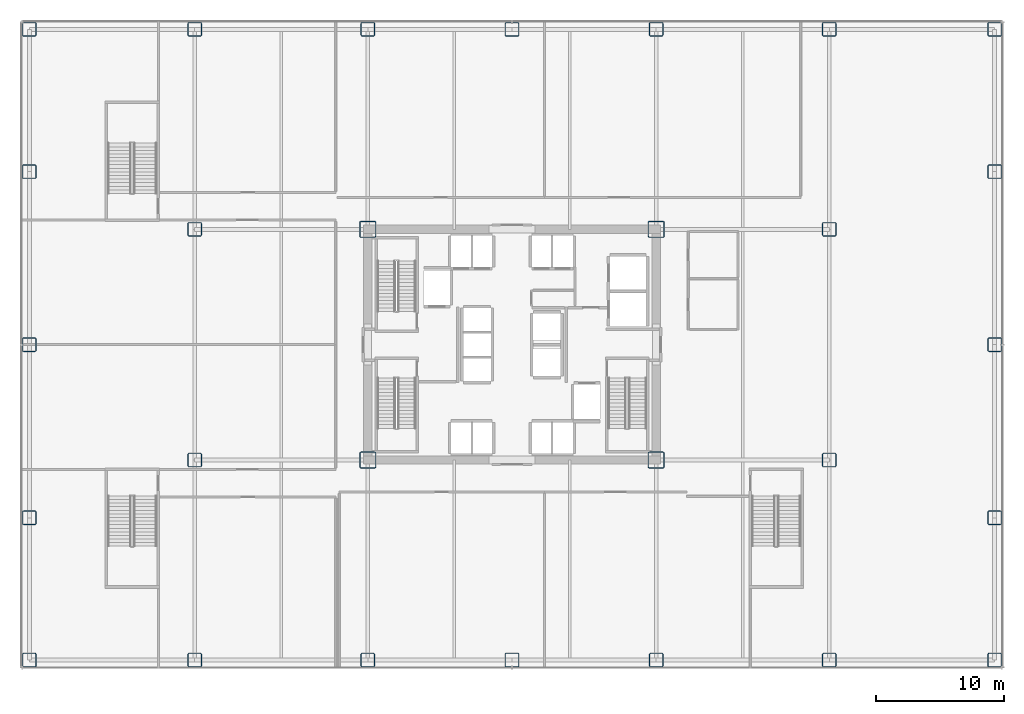
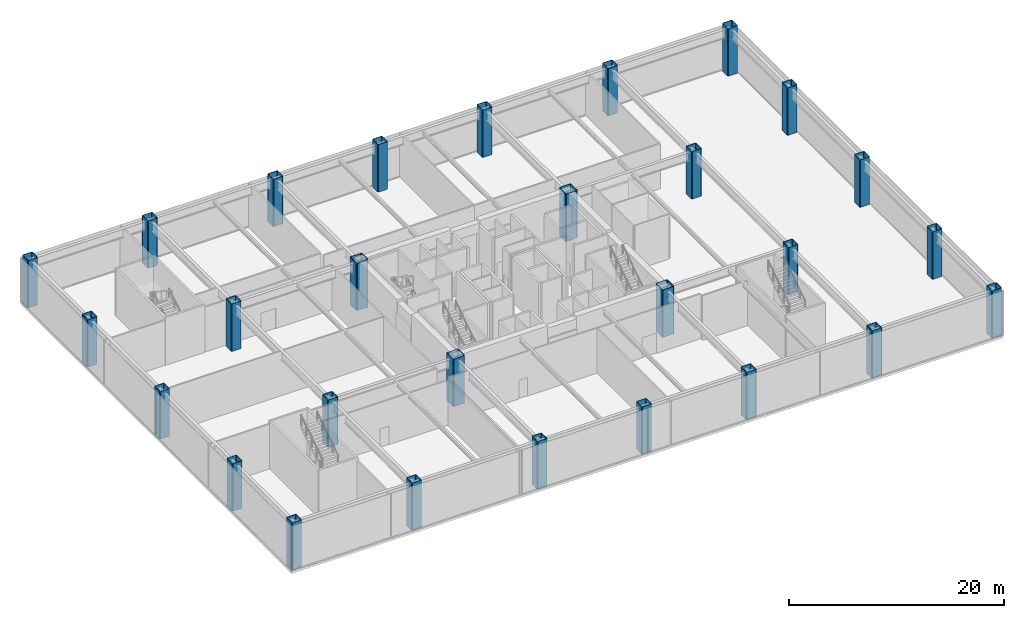
# One storey, part 1 of 24: 28 columns.
"""IFC4 building model written with IfcOpenShell, lengths in metres."""

from ifc_helpers import new_model, si_unit, direction, frame, origin, origin_2d, place, context, subcontext, project, spatial, hollow_rectangle, extrude, source, transform, mapped, material, material_profile, profile_set, type_object, element, save


model = new_model("IFC4")

# Units and contexts
model_context = context("Model", 3, precision=1e-05, world=origin(), true_north=direction((0.0, 1.0)))
body_context = subcontext(model_context, "Body", "Model", "MODEL_VIEW")
ifc_project = project(units=[si_unit("LENGTHUNIT", "METRE"), si_unit("AREAUNIT", "SQUARE_METRE"), si_unit("VOLUMEUNIT", "CUBIC_METRE"), si_unit("PLANEANGLEUNIT", "RADIAN"), si_unit("MASSUNIT", "GRAM", prefix="KILO")], contexts=[model_context])

# Site, building, storey
site_placement = place(None, origin())
site = spatial("IfcSite", under=ifc_project, at=site_placement, CompositionType="ELEMENT")
building_placement = place(site_placement, origin())
building = spatial("IfcBuilding", under=site, at=building_placement, Name="Nefas-Gora Pilgrimage Tower", CompositionType="ELEMENT")
storey_placement = place(building_placement, frame((0.0, 0.0, 16.800048828125)))
storey = spatial("IfcBuildingStorey", under=building, at=storey_placement, Name="L03", CompositionType="ELEMENT", Elevation=16.800048828125)

# Columns
ifc_material = material(Name="Steel S460", Category="steel")
ifc_material_profile_1 = material_profile(ifc_material, hollow_rectangle(XDim=1.10009765625, YDim=1.10009765625, WallThickness=0.054931640625, InnerFilletRadius=0.054931640625, OuterFilletRadius=0.110107421875, at=origin_2d()), Name="BOX 1100x1100x55")
ifc_profile_set_1 = profile_set([ifc_material_profile_1], Name="Steel S460")
column_type_1 = type_object("IfcColumnType", Name="COL-MEGA-1100E", PredefinedType="COLUMN", material=ifc_profile_set_1)
shared_shape_1 = source(origin(), body_context, "Body", "SweptSolid", [
    extrude(hollow_rectangle(XDim=1.10009765625, YDim=1.10009765625, WallThickness=0.054931640625, InnerFilletRadius=0.054931640625, OuterFilletRadius=0.110107421875, at=origin_2d()), origin(), (0.0, 0.0, 1.0), 5.39990234375),
])
for number, where, z_axis, x_axis, name in (
    (1, (-37.64990234375, -24.60009765625, 0.0), (0.0, 0.0, 1.0), (1.0, 0.0, 0.0), "L03 Mega-Column MC-02E.1"),
    (2, (-37.64990234375, -13.5, 0.0), (0.0, 0.0, 1.0), (1.0, 0.0, 0.0), "L03 Mega-Column MC-02E.2"),
    (3, (-37.64990234375, 0.0, 0.0), (0.0, 0.0, 1.0), (1.0, 0.0, 0.0), "L03 Mega-Column MC-02E.3"),
    (4, (-37.64990234375, 13.5, 0.0), (0.0, 0.0, 1.0), (1.0, 0.0, 0.0), "L03 Mega-Column MC-02E.4"),
    (5, (-37.64990234375, 24.60009765625, 0.0), (0.0, 0.0, 1.0), (1.0, 0.0, 0.0), "L03 Mega-Column MC-02E.5"),
    (6, (-24.75, -24.60009765625, 0.0), (0.0, 0.0, 1.0), (1.0, 0.0, 0.0), "L03 Mega-Column MC-02E.6"),
    (7, (-24.75, 24.60009765625, 0.0), (0.0, 0.0, 1.0), (1.0, 0.0, 0.0), "L03 Mega-Column MC-02E.9"),
    (8, (-11.25, -24.60009765625, 0.0), (0.0, 0.0, 1.0), (1.0, 0.0, 0.0), "L03 Mega-Column MC-02E.10"),
    (9, (-11.25, 24.60009765625, 0.0), (0.0, 0.0, 1.0), (1.0, 0.0, 0.0), "L03 Mega-Column MC-02E.13"),
    (10, (0.0, -24.60009765625, 0.0), (0.0, 0.0, 1.0), (1.0, 0.0, 0.0), "L03 Mega-Column MC-02E.14"),
    (11, (0.0, 24.60009765625, 0.0), (0.0, 0.0, 1.0), (1.0, 0.0, 0.0), "L03 Mega-Column MC-02E.15"),
    (12, (11.25, -24.60009765625, 0.0), (0.0, 0.0, 1.0), (1.0, 0.0, 0.0), "L03 Mega-Column MC-02E.16"),
    (13, (11.25, 24.60009765625, 0.0), (0.0, 0.0, 1.0), (1.0, 0.0, 0.0), "L03 Mega-Column MC-02E.19"),
    (14, (24.75, -24.60009765625, 0.0), (0.0, 0.0, 1.0), (1.0, 0.0, 0.0), "L03 Mega-Column MC-02E.20"),
    (15, (24.75, 24.60009765625, 0.0), (0.0, 0.0, 1.0), (1.0, 0.0, 0.0), "L03 Mega-Column MC-02E.23"),
    (16, (37.64990234375, -24.60009765625, 0.0), (0.0, 0.0, 1.0), (1.0, 0.0, 0.0), "L03 Mega-Column MC-02E.24"),
    (17, (37.64990234375, -13.5, 0.0), (0.0, 0.0, 1.0), (1.0, 0.0, 0.0), "L03 Mega-Column MC-02E.25"),
    (18, (37.64990234375, 0.0, 0.0), (0.0, 0.0, 1.0), (1.0, 0.0, 0.0), "L03 Mega-Column MC-02E.26"),
    (19, (37.64990234375, 13.5, 0.0), (0.0, 0.0, 1.0), (1.0, 0.0, 0.0), "L03 Mega-Column MC-02E.27"),
    (20, (37.64990234375, 24.60009765625, 0.0), (0.0, 0.0, 1.0), (1.0, 0.0, 0.0), "L03 Mega-Column MC-02E.28"),
):
    element("IfcColumn", number, at=place(storey_placement, frame(where, z_axis=z_axis, x_axis=x_axis)), inside=storey, type_object=column_type_1, Name=name, PredefinedType="COLUMN", context=body_context, shape_type="MappedRepresentation", body=[
        mapped(shared_shape_1, transform((0.0, 0.0, 0.0), x_axis=(1.0, 0.0, 0.0), y_axis=(0.0, 1.0, 0.0), z_axis=(0.0, 0.0, 1.0), scale=1.0)),
    ])
ifc_material_profile_2 = material_profile(ifc_material, hollow_rectangle(XDim=1.10009765625, YDim=1.10009765625, WallThickness=0.054931640625, InnerFilletRadius=0.054931640625, OuterFilletRadius=0.110107421875, at=origin_2d()), Name="BOX 1100x1100x55")
ifc_profile_set_2 = profile_set([ifc_material_profile_2], Name="Steel S460")
column_type_2 = type_object("IfcColumnType", Name="COL-MEGA-1100", PredefinedType="COLUMN", material=ifc_profile_set_2)
shared_shape_2 = source(origin(), body_context, "Body", "SweptSolid", [
    extrude(hollow_rectangle(XDim=1.10009765625, YDim=1.10009765625, WallThickness=0.054931640625, InnerFilletRadius=0.054931640625, OuterFilletRadius=0.110107421875, at=origin_2d()), origin(), (0.0, 0.0, 1.0), 5.39990234375),
])
for number, where, z_axis, x_axis, name in (
    (21, (-24.75, -9.0, 0.0), (0.0, 0.0, 1.0), (1.0, 0.0, 0.0), "L03 Mega-Column MC-02.7"),
    (22, (-24.75, 9.0, 0.0), (0.0, 0.0, 1.0), (1.0, 0.0, 0.0), "L03 Mega-Column MC-02.8"),
    (23, (24.75, -9.0, 0.0), (0.0, 0.0, 1.0), (1.0, 0.0, 0.0), "L03 Mega-Column MC-02.21"),
    (24, (24.75, 9.0, 0.0), (0.0, 0.0, 1.0), (1.0, 0.0, 0.0), "L03 Mega-Column MC-02.22"),
):
    element("IfcColumn", number, at=place(storey_placement, frame(where, z_axis=z_axis, x_axis=x_axis)), inside=storey, type_object=column_type_2, Name=name, PredefinedType="COLUMN", context=body_context, shape_type="MappedRepresentation", body=[
        mapped(shared_shape_2, transform((0.0, 0.0, 0.0), x_axis=(1.0, 0.0, 0.0), y_axis=(0.0, 1.0, 0.0), z_axis=(0.0, 0.0, 1.0), scale=1.0)),
    ])
ifc_material_profile_3 = material_profile(ifc_material, hollow_rectangle(XDim=1.300048828125, YDim=1.300048828125, WallThickness=0.06494140625, InnerFilletRadius=0.06494140625, OuterFilletRadius=0.1298828125, at=origin_2d()), Name="BOX 1300x1300x65")
ifc_profile_set_3 = profile_set([ifc_material_profile_3], Name="Steel S460")
column_type_3 = type_object("IfcColumnType", Name="COL-MEGA-1300", PredefinedType="COLUMN", material=ifc_profile_set_3)
shared_shape_3 = source(origin(), body_context, "Body", "SweptSolid", [
    extrude(hollow_rectangle(XDim=1.300048828125, YDim=1.300048828125, WallThickness=0.06494140625, InnerFilletRadius=0.06494140625, OuterFilletRadius=0.1298828125, at=origin_2d()), origin(), (0.0, 0.0, 1.0), 5.39990234375),
])
for number, where, z_axis, x_axis, name in (
    (25, (-11.25, -9.0, 0.0), (0.0, 0.0, 1.0), (1.0, 0.0, 0.0), "L03 Mega-Column MC-01.11"),
    (26, (-11.25, 9.0, 0.0), (0.0, 0.0, 1.0), (1.0, 0.0, 0.0), "L03 Mega-Column MC-01.12"),
    (27, (11.25, -9.0, 0.0), (0.0, 0.0, 1.0), (1.0, 0.0, 0.0), "L03 Mega-Column MC-01.17"),
    (28, (11.25, 9.0, 0.0), (0.0, 0.0, 1.0), (1.0, 0.0, 0.0), "L03 Mega-Column MC-01.18"),
):
    element("IfcColumn", number, at=place(storey_placement, frame(where, z_axis=z_axis, x_axis=x_axis)), inside=storey, type_object=column_type_3, Name=name, PredefinedType="COLUMN", context=body_context, shape_type="MappedRepresentation", body=[
        mapped(shared_shape_3, transform((0.0, 0.0, 0.0), x_axis=(1.0, 0.0, 0.0), y_axis=(0.0, 1.0, 0.0), z_axis=(0.0, 0.0, 1.0), scale=1.0)),
    ])

save(model, "model.ifc")
